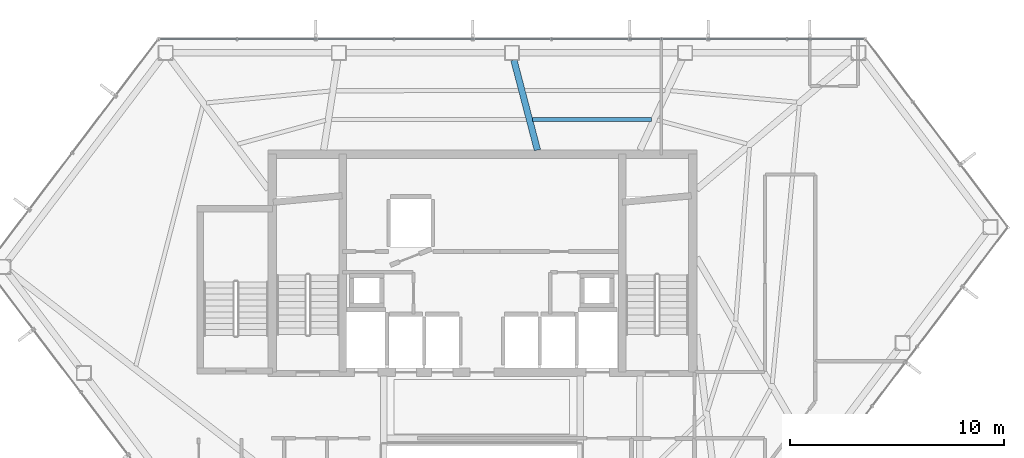
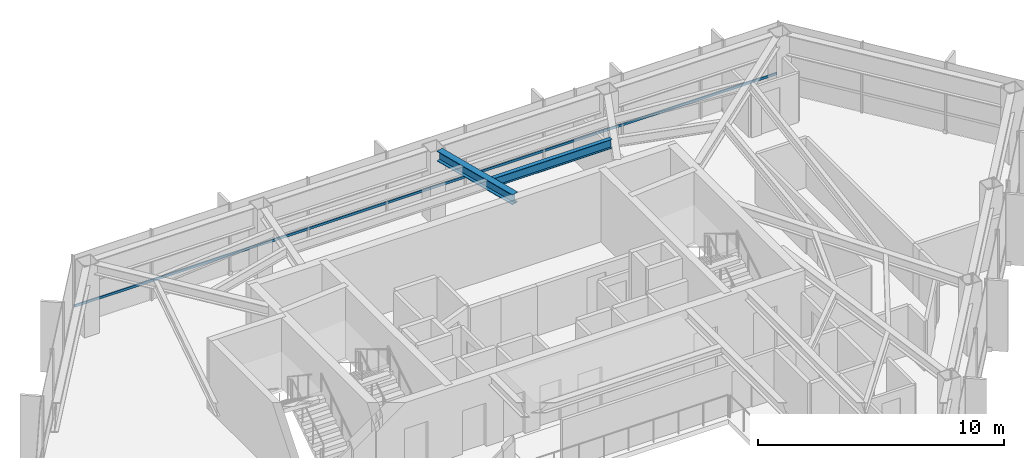
# One storey, part 15 of 28: 2 beams, 1 member, 1 element without a shape of its own.
"""IFC4 building model written with IfcOpenShell, lengths in metres."""

from ifc_helpers import new_model, si_unit, direction, frame, origin, origin_2d, place, context, subcontext, project, spatial, hollow_rectangle, i_section, extrude, material, layer, layer_set, material_profile, profile_set, type_object, element, aggregate, save


model = new_model("IFC4")

# Units and contexts
model_context = context("Model", 3, precision=1e-05, world=origin(), true_north=direction((0.0, 1.0)))
body_context = subcontext(model_context, "Body", "Model", "MODEL_VIEW")
ifc_project = project(units=[si_unit("LENGTHUNIT", "METRE"), si_unit("AREAUNIT", "SQUARE_METRE"), si_unit("VOLUMEUNIT", "CUBIC_METRE"), si_unit("PLANEANGLEUNIT", "RADIAN"), si_unit("MASSUNIT", "GRAM", prefix="KILO")], contexts=[model_context])

# Site, building, storey
site_placement = place(None, origin())
site = spatial("IfcSite", under=ifc_project, at=site_placement, CompositionType="ELEMENT")
building_placement = place(site_placement, origin())
building = spatial("IfcBuilding", under=site, at=building_placement, Name="Zarrinselat Tower", CompositionType="ELEMENT")
storey_placement = place(building_placement, frame((0.0, 0.0, 164.56005859375)))
storey = spatial("IfcBuildingStorey", under=building, at=storey_placement, Name="L40", CompositionType="ELEMENT", Elevation=164.56005859375)

# Beams
ifc_material_1 = material(Name="Steel S355J2", Category="steel")
ifc_material_profile_1 = material_profile(ifc_material_1, i_section(OverallWidth=0.300048828125, OverallDepth=0.5, WebThickness=0.014404296875, FlangeThickness=0.028076171875, at=origin_2d()), Name="HEB 500")
ifc_profile_set_1 = profile_set([ifc_material_profile_1], Name="Steel S355J2")
beam_type_1 = type_object("IfcBeamType", Name="BM-HEB500", PredefinedType="BEAM", material=ifc_profile_set_1)
beam_1_placement = place(storey_placement, frame((39.900146484375, 47.848388671875, 3.25), z_axis=(0.252849128037, -0.967505720113, 0.0), x_axis=(0.967505720113, 0.252849128037, 0.0)))
element("IfcBeam", 1, at=beam_1_placement, inside=storey, type_object=beam_type_1, Name="L40 Radial Primary Girder RG03", PredefinedType="BEAM", context=body_context, shape_type="SweptSolid", body=[
    extrude(i_section(OverallWidth=0.300048828125, OverallDepth=0.5, WebThickness=0.014404296875, FlangeThickness=0.028076171875, at=origin_2d()), origin(), (0.0, 0.0, 1.0), 4.349853515625),
])
ifc_material_2 = material(Name="Steel S355J2", Category="steel")
ifc_material_profile_2 = material_profile(ifc_material_2, i_section(OverallWidth=0.18994140625, OverallDepth=0.449951171875, WebThickness=0.009521484375, FlangeThickness=0.0146484375, at=origin_2d()), Name="IPE 450")
ifc_profile_set_2 = profile_set([ifc_material_profile_2], Name="Steel S355J2")
beam_type_2 = type_object("IfcBeamType", Name="BM-IPE450", PredefinedType="JOIST", material=ifc_profile_set_2)
beam_2_placement = place(storey_placement, frame((40.76611328125, 45.071044921875, 3.27490234375), z_axis=(0.999999245062, 0.001228769863, 0.0), x_axis=(-0.001228769863, 0.999999245062, 0.0)))
element("IfcBeam", 2, at=beam_2_placement, inside=storey, type_object=beam_type_2, Name="L40 Composite Floor Joist 7-2", PredefinedType="JOIST", context=body_context, shape_type="SweptSolid", body=[
    extrude(i_section(OverallWidth=0.18994140625, OverallDepth=0.449951171875, WebThickness=0.009521484375, FlangeThickness=0.0146484375, at=origin_2d()), origin(), (0.0, 0.0, 1.0), 5.563232421875),
])

# Curtain wall, member
ifc_material_3 = material(Name="Extruded Aluminium Alloy EN AW-6063 T6", Category="aluminium")
ifc_layer = layer(ifc_material_3, 0.175048828125)
ifc_layer_set = layer_set([ifc_layer], Name="Extruded Aluminium Alloy EN AW-6063 T6")
curtain_wall_type = type_object("IfcCurtainWallType", Name="CWS-HTL", PredefinedType="NOTDEFINED", material=ifc_layer_set)
curtain_wall_placement = place(storey_placement, origin())
curtain_wall = element("IfcCurtainWall", 3, at=curtain_wall_placement, inside=storey, type_object=curtain_wall_type, Name="L40 Unitised Curtain Wall CW-L40-E01", PredefinedType="NOTDEFINED")
ifc_material_4 = material(Name="Extruded Aluminium Alloy EN AW-6063 T6", Category="aluminium")
ifc_material_profile_3 = material_profile(ifc_material_4, hollow_rectangle(XDim=0.06005859375, YDim=0.1201171875, WallThickness=0.00390625, at=origin_2d()), Name="RHS 120x60x4")
ifc_profile_set_3 = profile_set([ifc_material_profile_3], Name="Extruded Aluminium Alloy EN AW-6063 T6")
member_type = type_object("IfcMemberType", Name="MEM-CW-TRN2", PredefinedType="USERDEFINED", material=ifc_profile_set_3)
member_placement = place(storey_placement, frame((56.256591796875, 48.8388671875, 0.949951171875), z_axis=(-1.0, 0.0, 0.0), x_axis=(0.0, -1.0, 0.0)))
member = element("IfcMember", 4, at=member_placement, type_object=member_type, Name="CW-L40-E01 Transom 1", ObjectType="TRANSOM", PredefinedType="USERDEFINED", context=body_context, shape_type="SweptSolid", body=[
    extrude(hollow_rectangle(XDim=0.06005859375, YDim=0.1201171875, WallThickness=0.00390625, at=origin_2d()), origin(), (0.0, 0.0, 1.0), 32.89111328125),
])
aggregate(curtain_wall, [member])

save(model, "model.ifc")
